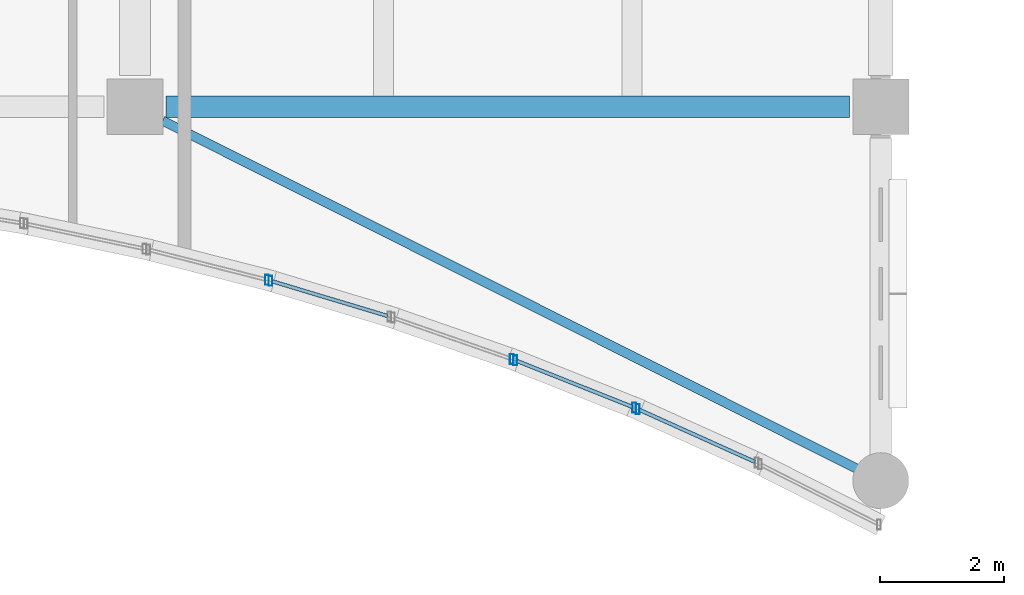
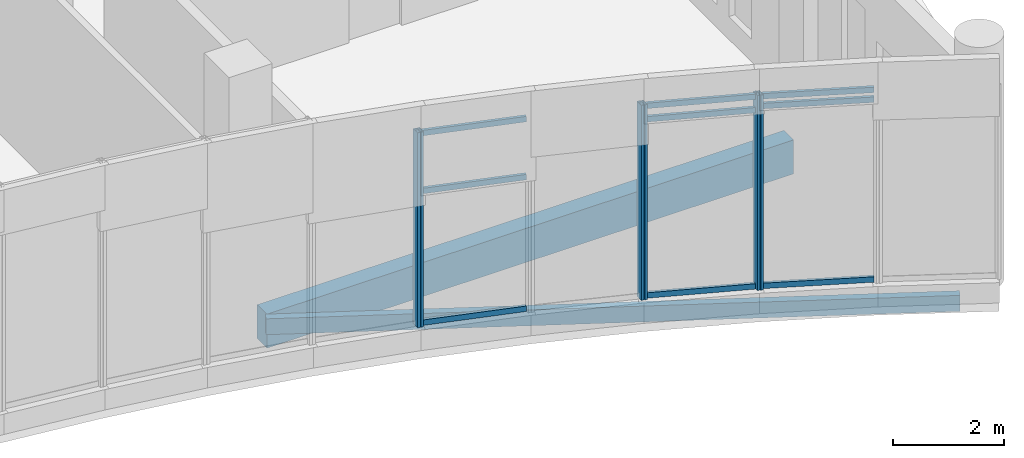
# One storey, part 99 of 192: 15 members, 2 beams, 5 elements without a shape of their own.
"""IFC4 building model written with IfcOpenShell, lengths in metres."""

import ifcopenshell
import ifcopenshell.guid

model = None  # the IFC model being written
_history = None  # IfcOwnerHistory: only IFC2X3 demands one
_inside = {}  # id of a spatial element -> (the spatial element, [elements in it])
_under = {}  # id of a project, library or spatial element -> (it, [spatial elements below it])
_declared = {}  # id of a project -> (the project, [libraries it declares])
_typed = {}  # id of a type object -> (the type object, [elements of that type])
_made_of = {}  # id of a material, layer set ... -> (it, [elements and type objects made of it])


def new_model(schema):
    """Start an empty IFC model of exactly this schema.

    Asked for "IFC4X3", IfcOpenShell would pick the latest addendum, in which some entities
    have other attributes; the version numbers below select the first issue.
    IFC2X3 requires an IfcOwnerHistory on every rooted entity: one is made here for all.
    """
    global model, _history
    if schema == "IFC4X3":
        model = ifcopenshell.file(schema_version=(4, 3, 0, 0))
    else:
        model = ifcopenshell.file(schema=schema)
    _inside.clear()
    _under.clear()
    _declared.clear()
    _typed.clear()
    _made_of.clear()
    _history = None
    if model.schema == "IFC2X3":
        org = make("IfcOrganization", Name="unknown")
        user = make(
            "IfcPersonAndOrganization",
            ThePerson=make("IfcPerson", FamilyName="unknown"),
            TheOrganization=org,
        )
        app = make(
            "IfcApplication",
            ApplicationDeveloper=org,
            Version="unknown",
            ApplicationFullName="unknown",
            ApplicationIdentifier="unknown",
        )
        _history = make(
            "IfcOwnerHistory",
            OwningUser=user,
            OwningApplication=app,
            ChangeAction="ADDED",
            CreationDate=0,
        )
    return model


def make(cls, **values):
    """One entity of the class cls with the attributes given. An attribute that is None is left unset."""
    return model.create_entity(
        cls, **{name: value for name, value in values.items() if value is not None}
    )


def rooted(cls, **values):
    """An entity with a GlobalId (a new one), such as an element, a storey or a relation."""
    return make(cls, GlobalId=ifcopenshell.guid.new(), OwnerHistory=_history, **values)


def si_unit(unit_type, name, prefix=None):
    """IfcSIUnit, for example si_unit("LENGTHUNIT", "METRE", prefix="MILLI")."""
    return make("IfcSIUnit", UnitType=unit_type, Prefix=prefix, Name=name)


def assignment(units):
    """IfcUnitAssignment: the units of a project."""
    return None if units is None else make("IfcUnitAssignment", Units=units)


def point(xyz):
    """IfcCartesianPoint."""
    return None if xyz is None else make("IfcCartesianPoint", Coordinates=xyz)


def direction(xyz):
    """IfcDirection."""
    return None if xyz is None else make("IfcDirection", DirectionRatios=xyz)


def frame(location, z_axis=None, x_axis=None):
    """IfcAxis2Placement3D, a coordinate frame: its origin and axes. An axis left out is left unset."""
    return make(
        "IfcAxis2Placement3D",
        Location=point(location),
        Axis=direction(z_axis),
        RefDirection=direction(x_axis),
    )


def frame_2d(location, x_axis=None):
    """IfcAxis2Placement2D, a coordinate frame in the plane: its origin and x axis."""
    return make(
        "IfcAxis2Placement2D", Location=point(location), RefDirection=direction(x_axis)
    )


def origin():
    """The frame at (0, 0, 0) with its axes left unset."""
    return frame((0.0, 0.0, 0.0))


def origin_2d():
    """The frame at (0, 0) in the plane with its x axis left unset."""
    return frame_2d((0.0, 0.0))


def place(relative_to, where):
    """IfcLocalPlacement: puts the frame where relative to a parent placement (None: the world)."""
    return make(
        "IfcLocalPlacement", PlacementRelTo=relative_to, RelativePlacement=where
    )


def context(
    kind, dimensions, precision=None, world=None, true_north=None, identifier=None
):
    """IfcGeometricRepresentationContext, for example the 3D "Model" context."""
    return make(
        "IfcGeometricRepresentationContext",
        ContextIdentifier=identifier,
        ContextType=kind,
        CoordinateSpaceDimension=dimensions,
        Precision=precision,
        WorldCoordinateSystem=world,
        TrueNorth=true_north,
    )


def subcontext(parent, identifier, kind, view, scale=None):
    """IfcGeometricRepresentationSubContext, for example "Body" below "Model"."""
    return make(
        "IfcGeometricRepresentationSubContext",
        ContextIdentifier=identifier,
        ContextType=kind,
        ParentContext=parent,
        TargetScale=scale,
        TargetView=view,
    )


def project(units=None, contexts=None):
    """IfcProject with its units and contexts."""
    return rooted(
        "IfcProject",
        Name="project",
        RepresentationContexts=contexts,
        UnitsInContext=assignment(units),
    )


def spatial(cls, under=None, at=None, **own):
    """A site, building, storey or space (cls), placed at a placement, below another one or the project."""
    s = rooted(cls, ObjectPlacement=at, **own)
    if under is not None:
        _under.setdefault(under.id(), (under, []))[1].append(s)
    return s


def profile(cls, at=None, kind="AREA", **sizes):
    """A parametric profile (cls). Its sizes go by their IFC names, for example OverallWidth=200.0."""
    return make(cls, ProfileType=kind, Position=at, **sizes)


def rectangle(**sizes):
    """IfcRectangleProfileDef."""
    return profile("IfcRectangleProfileDef", **sizes)


def hollow_rectangle(**sizes):
    """IfcRectangleHollowProfileDef."""
    return profile("IfcRectangleHollowProfileDef", **sizes)


def extrude(swept, where, along, depth):
    """IfcExtrudedAreaSolid: the profile swept, set in the frame where, extruded along a direction by depth."""
    return make(
        "IfcExtrudedAreaSolid",
        SweptArea=swept,
        Position=where,
        ExtrudedDirection=direction(along),
        Depth=depth,
    )


def shape(context_of_items, identifier, shape_type, items):
    """IfcShapeRepresentation: the items that make up one representation, for example the "Body"."""
    return make(
        "IfcShapeRepresentation",
        ContextOfItems=context_of_items,
        RepresentationIdentifier=identifier,
        RepresentationType=shape_type,
        Items=items,
    )


def material(Name=None, Category=None):
    """IfcMaterial."""
    return make("IfcMaterial", Name=Name, Category=Category)


def material_profile(
    of_material, cross_section, Name=None, Category=None, Priority=None
):
    """IfcMaterialProfile: a cross section and its material."""
    return make(
        "IfcMaterialProfile",
        Name=Name,
        Material=of_material,
        Profile=cross_section,
        Priority=Priority,
        Category=Category,
    )


def profile_set(profiles, Name=None, composite=None):
    """IfcMaterialProfileSet."""
    return make(
        "IfcMaterialProfileSet",
        Name=Name,
        MaterialProfiles=profiles,
        CompositeProfile=composite,
    )


def made_of(thing, what):
    """Note that an element or type object is made of a material, layer set ...; save() writes the relation."""
    if what is not None:
        _made_of.setdefault(what.id(), (what, []))[1].append(thing)
    return thing


def type_object(cls, material=None, **own):
    """A type object (cls), such as IfcWallType, which elements share."""
    return made_of(rooted(cls, **own), material)


def element(
    cls,
    number,
    at=None,
    inside=None,
    cuts=None,
    type_object=None,
    material=None,
    context=None,
    identifier="Body",
    shape_type=None,
    held_by="IfcProductDefinitionShape",
    body=None,
    shapes=None,
    **own,
):
    """One element of the class cls, such as IfcWall. Its Tag is "e" and its number.

    at: its placement. inside: the storey or other place that contains it. cuts: it is an
    opening in that element (IfcRelVoidsElement). A single representation is given by context,
    identifier, shape_type and body (its items); several are given by shapes. held_by: the class
    of the entity that holds the representations. save() writes the other relations.
    """
    e = rooted(cls, Tag="e%d" % number, ObjectPlacement=at, **own)
    if body is not None:
        shapes = [shape(context, identifier, shape_type, body)]
    if shapes is not None:
        e.Representation = make(held_by, Representations=shapes)
    if inside is not None:
        _inside.setdefault(inside.id(), (inside, []))[1].append(e)
    if cuts is not None:
        rooted(
            "IfcRelVoidsElement", RelatingBuildingElement=cuts, RelatedOpeningElement=e
        )
    if type_object is not None:
        _typed.setdefault(type_object.id(), (type_object, []))[1].append(e)
    return made_of(e, material)


def aggregate(whole, parts):
    """IfcRelAggregates: a whole, such as a stair, and the parts it consists of."""
    return rooted("IfcRelAggregates", RelatingObject=whole, RelatedObjects=parts)


def save(model, path):
    """Write the relations noted so far, then the file.

    IfcRelAggregates (storeys below a building ...), IfcRelContainedInSpatialStructure (elements
    in a storey), IfcRelDefinesByType, IfcRelAssociatesMaterial and IfcRelDeclares: one each for
    every whole, place, type object, material and project.
    """
    for whole, parts in _under.values():
        aggregate(whole, parts)
    for where, things in _inside.values():
        rooted(
            "IfcRelContainedInSpatialStructure",
            RelatedElements=things,
            RelatingStructure=where,
        )
    for kind, things in _typed.values():
        rooted("IfcRelDefinesByType", RelatedObjects=things, RelatingType=kind)
    for what, things in _made_of.values():
        rooted("IfcRelAssociatesMaterial", RelatedObjects=things, RelatingMaterial=what)
    for by, libraries in _declared.values():
        rooted("IfcRelDeclares", RelatingContext=by, RelatedDefinitions=libraries)
    model.write(path)


model = new_model("IFC4")

# Units and contexts
model_context = context("Model", 3, precision=1e-05, world=origin(), true_north=direction((0.0, 1.0)))
body_context = subcontext(model_context, "Body", "Model", "MODEL_VIEW")
ifc_project = project(units=[si_unit("LENGTHUNIT", "METRE"), si_unit("AREAUNIT", "SQUARE_METRE"), si_unit("VOLUMEUNIT", "CUBIC_METRE"), si_unit("PLANEANGLEUNIT", "RADIAN"), si_unit("MASSUNIT", "GRAM", prefix="KILO")], contexts=[model_context])

# Site, building, storey
site_placement = place(None, origin())
site = spatial("IfcSite", under=ifc_project, at=site_placement, CompositionType="ELEMENT")
building_placement = place(site_placement, origin())
building = spatial("IfcBuilding", under=site, at=building_placement, Name="Cendralis Lancet Convention Centre", CompositionType="ELEMENT")
storey_placement = place(building_placement, origin())
storey = spatial("IfcBuildingStorey", under=building, at=storey_placement, Name="L00", CompositionType="ELEMENT", Elevation=0.0)

# Curtain wall, member
ifc_material_1 = material(Name="Anodised bronze architectural aluminium", Category="aluminium")
curtain_wall_type = type_object("IfcCurtainWallType", Name="ARC-CW-WF02", PredefinedType="USERDEFINED", material=ifc_material_1)
curtain_wall_1_placement = place(storey_placement, origin())
curtain_wall_1 = element("IfcCurtainWall", 1, at=curtain_wall_1_placement, inside=storey, type_object=curtain_wall_type, Name="L00 Curtain Wall CW-WF2 #085", ObjectType="CURTAIN WALL", PredefinedType="USERDEFINED")
ifc_material_profile_1 = material_profile(ifc_material_1, hollow_rectangle(XDim=0.06005859375, YDim=0.159912109375, WallThickness=0.00390625, at=origin_2d()), Name="AL-MULL 60x160x4.0")
ifc_profile_set_1 = profile_set([ifc_material_profile_1], Name="Anodised bronze architectural aluminium")
member_type_1 = type_object("IfcMemberType", Name="ARC-CW-ML01", PredefinedType="MULLION", material=ifc_profile_set_1)
member_1_placement = place(storey_placement, frame((198.9248046875, 4.415283203125, 0.449951171875), z_axis=(0.0, 0.0, 1.0), x_axis=(1.0, 0.0, 0.0)))
member_1 = element("IfcMember", 2, at=member_1_placement, type_object=member_type_1, Name="Mullion CW2-CW-WF2-L00-085-M1", PredefinedType="MULLION", context=body_context, shape_type="SweptSolid", body=[
    extrude(hollow_rectangle(XDim=0.06005859375, YDim=0.159912109375, WallThickness=0.00390625, at=origin_2d()), origin(), (0.0, 0.0, 1.0), 4.304931640625),
])
aggregate(curtain_wall_1, [member_1])

curtain_wall_2_placement = place(storey_placement, origin())
curtain_wall_2 = element("IfcCurtainWall", 3, at=curtain_wall_2_placement, inside=storey, type_object=curtain_wall_type, Name="L00 Curtain Wall CW-WF2 #086", ObjectType="CURTAIN WALL", PredefinedType="USERDEFINED")
member_2_placement = place(storey_placement, frame((198.982666015625, 4.3994140625, 0.449951171875), z_axis=(0.0, 0.0, 1.0), x_axis=(1.0, 0.0, 0.0)))
member_2 = element("IfcMember", 4, at=member_2_placement, type_object=member_type_1, Name="Mullion CW2-CW-WF2-L00-086-M0", PredefinedType="MULLION", context=body_context, shape_type="SweptSolid", body=[
    extrude(hollow_rectangle(XDim=0.06005859375, YDim=0.159912109375, WallThickness=0.00390625, at=origin_2d()), origin(), (0.0, 0.0, 1.0), 4.304931640625),
])

curtain_wall_3_placement = place(storey_placement, origin())
curtain_wall_3 = element("IfcCurtainWall", 5, at=curtain_wall_3_placement, inside=storey, type_object=curtain_wall_type, Name="L00 Curtain Wall CW-WF2 #087", ObjectType="CURTAIN WALL", PredefinedType="USERDEFINED")
member_3_placement = place(storey_placement, frame((202.86376953125, 3.140869140625, 0.449951171875), z_axis=(0.0, 0.0, 1.0), x_axis=(1.0, 0.0, 0.0)))
member_3 = element("IfcMember", 6, at=member_3_placement, type_object=member_type_1, Name="Mullion CW2-CW-WF2-L00-087-M1", PredefinedType="MULLION", context=body_context, shape_type="SweptSolid", body=[
    extrude(hollow_rectangle(XDim=0.06005859375, YDim=0.159912109375, WallThickness=0.00390625, at=origin_2d()), origin(), (0.0, 0.0, 1.0), 4.304931640625),
])
aggregate(curtain_wall_3, [member_3])

# Curtain wall, members
curtain_wall_4_placement = place(storey_placement, origin())
curtain_wall_4 = element("IfcCurtainWall", 7, at=curtain_wall_4_placement, inside=storey, type_object=curtain_wall_type, Name="L00 Curtain Wall CW-WF2 #088", ObjectType="CURTAIN WALL", PredefinedType="USERDEFINED")
member_4_placement = place(storey_placement, frame((202.919921875, 3.119873046875, 0.449951171875), z_axis=(0.0, 0.0, 1.0), x_axis=(1.0, 0.0, 0.0)))
member_4 = element("IfcMember", 8, at=member_4_placement, type_object=member_type_1, Name="Mullion CW2-CW-WF2-L00-088-M0", PredefinedType="MULLION", context=body_context, shape_type="SweptSolid", body=[
    extrude(hollow_rectangle(XDim=0.06005859375, YDim=0.159912109375, WallThickness=0.00390625, at=origin_2d()), origin(), (0.0, 0.0, 1.0), 4.304931640625),
])
member_5_placement = place(storey_placement, frame((204.833984375, 2.359130859375, 0.449951171875), z_axis=(0.0, 0.0, 1.0), x_axis=(1.0, 0.0, 0.0)))
member_5 = element("IfcMember", 9, at=member_5_placement, type_object=member_type_1, Name="Mullion CW2-CW-WF2-L00-088-M1", PredefinedType="MULLION", context=body_context, shape_type="SweptSolid", body=[
    extrude(hollow_rectangle(XDim=0.06005859375, YDim=0.159912109375, WallThickness=0.00390625, at=origin_2d()), origin(), (0.0, 0.0, 1.0), 4.304931640625),
])

# Curtain wall, member
curtain_wall_5_placement = place(storey_placement, origin())
curtain_wall_5 = element("IfcCurtainWall", 10, at=curtain_wall_5_placement, inside=storey, type_object=curtain_wall_type, Name="L00 Curtain Wall CW-WF2 #089", ObjectType="CURTAIN WALL", PredefinedType="USERDEFINED")
member_6_placement = place(storey_placement, frame((204.889404296875, 2.335693359375, 0.449951171875), z_axis=(0.0, 0.0, 1.0), x_axis=(1.0, 0.0, 0.0)))
member_6 = element("IfcMember", 11, at=member_6_placement, type_object=member_type_1, Name="Mullion CW2-CW-WF2-L00-089-M0", PredefinedType="MULLION", context=body_context, shape_type="SweptSolid", body=[
    extrude(hollow_rectangle(XDim=0.06005859375, YDim=0.159912109375, WallThickness=0.00390625, at=origin_2d()), origin(), (0.0, 0.0, 1.0), 4.304931640625),
])

# Member
ifc_material_profile_2 = material_profile(ifc_material_1, hollow_rectangle(XDim=0.06005859375, YDim=0.1201171875, WallThickness=0.00390625, at=origin_2d()), Name="AL-TRAN 60x120x4.0")
ifc_profile_set_2 = profile_set([ifc_material_profile_2], Name="Anodised bronze architectural aluminium")
member_type_2 = type_object("IfcMemberType", Name="ARC-CW-TR01", PredefinedType="USERDEFINED", material=ifc_profile_set_2)
member_7_placement = place(storey_placement, frame((199.011474609375, 4.390625, 0.510009765625), z_axis=(0.957659523644, -0.287903172568, 0.0), x_axis=(0.287903172568, 0.957659523644, 0.0)))
member_7 = element("IfcMember", 12, at=member_7_placement, type_object=member_type_2, Name="Transom CW2-CW-WF2-L00-086-T0BOT", ObjectType="TRANSOM", PredefinedType="USERDEFINED", context=body_context, shape_type="SweptSolid", body=[
    extrude(hollow_rectangle(XDim=0.06005859375, YDim=0.1201171875, WallThickness=0.00390625, at=origin_2d()), origin(), (0.0, 0.0, 1.0), 1.93603515625),
])

member_8_placement = place(storey_placement, frame((199.011474609375, 4.390625, 3.4150390625), z_axis=(0.957659523644, -0.287903172568, 0.0), x_axis=(0.287903172568, 0.957659523644, 0.0)))
member_8 = element("IfcMember", 13, at=member_8_placement, type_object=member_type_2, Name="Transom CW2-CW-WF2-L00-086-T0MID", ObjectType="TRANSOM", PredefinedType="USERDEFINED", context=body_context, shape_type="SweptSolid", body=[
    extrude(hollow_rectangle(XDim=0.06005859375, YDim=0.1201171875, WallThickness=0.00390625, at=origin_2d()), origin(), (0.0, 0.0, 1.0), 1.93603515625),
])

member_9_placement = place(storey_placement, frame((199.011474609375, 4.390625, 4.695068359375), z_axis=(0.957659523644, -0.287903172568, 0.0), x_axis=(0.287903172568, 0.957659523644, 0.0)))
member_9 = element("IfcMember", 14, at=member_9_placement, type_object=member_type_2, Name="Transom CW2-CW-WF2-L00-086-T0TOP", ObjectType="TRANSOM", PredefinedType="USERDEFINED", context=body_context, shape_type="SweptSolid", body=[
    extrude(hollow_rectangle(XDim=0.06005859375, YDim=0.1201171875, WallThickness=0.00390625, at=origin_2d()), origin(), (0.0, 0.0, 1.0), 1.93603515625),
])

aggregate(curtain_wall_2, [member_2, member_7, member_8, member_9])

member_10_placement = place(storey_placement, frame((202.94775390625, 3.10888671875, 0.510009765625), z_axis=(0.929265992069, -0.369411310037, 0.0), x_axis=(0.369411310037, 0.929265992069, 0.0)))
member_10 = element("IfcMember", 15, at=member_10_placement, type_object=member_type_2, Name="Transom CW2-CW-WF2-L00-088-T0BOT", ObjectType="TRANSOM", PredefinedType="USERDEFINED", context=body_context, shape_type="SweptSolid", body=[
    extrude(hollow_rectangle(XDim=0.06005859375, YDim=0.1201171875, WallThickness=0.00390625, at=origin_2d()), origin(), (0.0, 0.0, 1.0), 1.999755859375),
])

member_11_placement = place(storey_placement, frame((202.94775390625, 3.10888671875, 4.39892578125), z_axis=(0.929265992069, -0.369411310037, 0.0), x_axis=(0.369411310037, 0.929265992069, 0.0)))
member_11 = element("IfcMember", 16, at=member_11_placement, type_object=member_type_2, Name="Transom CW2-CW-WF2-L00-088-T0MID", ObjectType="TRANSOM", PredefinedType="USERDEFINED", context=body_context, shape_type="SweptSolid", body=[
    extrude(hollow_rectangle(XDim=0.06005859375, YDim=0.1201171875, WallThickness=0.00390625, at=origin_2d()), origin(), (0.0, 0.0, 1.0), 1.999755859375),
])

member_12_placement = place(storey_placement, frame((202.94775390625, 3.10888671875, 4.695068359375), z_axis=(0.929265992069, -0.369411310037, 0.0), x_axis=(0.369411310037, 0.929265992069, 0.0)))
member_12 = element("IfcMember", 17, at=member_12_placement, type_object=member_type_2, Name="Transom CW2-CW-WF2-L00-088-T0TOP", ObjectType="TRANSOM", PredefinedType="USERDEFINED", context=body_context, shape_type="SweptSolid", body=[
    extrude(hollow_rectangle(XDim=0.06005859375, YDim=0.1201171875, WallThickness=0.00390625, at=origin_2d()), origin(), (0.0, 0.0, 1.0), 1.999755859375),
])

aggregate(curtain_wall_4, [member_4, member_5, member_10, member_11, member_12])

member_13_placement = place(storey_placement, frame((204.916748046875, 2.323486328125, 0.510009765625), z_axis=(0.911726553758, -0.410797628003, 0.0), x_axis=(0.410797628003, 0.911726553758, 0.0)))
member_13 = element("IfcMember", 18, at=member_13_placement, type_object=member_type_2, Name="Transom CW2-CW-WF2-L00-089-T0BOT", ObjectType="TRANSOM", PredefinedType="USERDEFINED", context=body_context, shape_type="SweptSolid", body=[
    extrude(hollow_rectangle(XDim=0.06005859375, YDim=0.1201171875, WallThickness=0.00390625, at=origin_2d()), origin(), (0.0, 0.0, 1.0), 2.03955078125),
])

member_14_placement = place(storey_placement, frame((204.916748046875, 2.323486328125, 4.47900390625), z_axis=(0.911726553758, -0.410797628003, 0.0), x_axis=(0.410797628003, 0.911726553758, 0.0)))
member_14 = element("IfcMember", 19, at=member_14_placement, type_object=member_type_2, Name="Transom CW2-CW-WF2-L00-089-T0MID", ObjectType="TRANSOM", PredefinedType="USERDEFINED", context=body_context, shape_type="SweptSolid", body=[
    extrude(hollow_rectangle(XDim=0.06005859375, YDim=0.1201171875, WallThickness=0.00390625, at=origin_2d()), origin(), (0.0, 0.0, 1.0), 2.03955078125),
])

member_15_placement = place(storey_placement, frame((204.916748046875, 2.323486328125, 4.695068359375), z_axis=(0.911726553758, -0.410797628003, 0.0), x_axis=(0.410797628003, 0.911726553758, 0.0)))
member_15 = element("IfcMember", 20, at=member_15_placement, type_object=member_type_2, Name="Transom CW2-CW-WF2-L00-089-T0TOP", ObjectType="TRANSOM", PredefinedType="USERDEFINED", context=body_context, shape_type="SweptSolid", body=[
    extrude(hollow_rectangle(XDim=0.06005859375, YDim=0.1201171875, WallThickness=0.00390625, at=origin_2d()), origin(), (0.0, 0.0, 1.0), 2.03955078125),
])

aggregate(curtain_wall_5, [member_6, member_13, member_14, member_15])

# Beams
ifc_material_2 = material(Name="Concrete G40 (C40/50)", Category="concrete")
ifc_material_profile_3 = material_profile(ifc_material_2, rectangle(XDim=0.35009765625, YDim=0.75, at=origin_2d()), Name="RCB 350x750")
ifc_profile_set_3 = profile_set([ifc_material_profile_3], Name="Concrete G40 (C40/50)")
beam_type_1 = type_object("IfcBeamType", Name="STR-SP-SP01", PredefinedType="SPANDREL", material=ifc_profile_set_3)
beam_1_placement = place(storey_placement, frame((197.300048828125, 7.199951171875, -0.695068359375), z_axis=(1.0, 0.0, 0.0), x_axis=(0.0, 1.0, 0.0)))
element("IfcBeam", 21, at=beam_1_placement, inside=storey, type_object=beam_type_1, Name="L00 Beam SP01 #0010", PredefinedType="SPANDREL", context=body_context, shape_type="SweptSolid", body=[
    extrude(rectangle(XDim=0.35009765625, YDim=0.75, at=origin_2d()), origin(), (0.0, 0.0, 1.0), 11.0),
])
ifc_material_3 = material(Name="Steel S355", Category="steel")
ifc_material_profile_4 = material_profile(ifc_material_3, hollow_rectangle(XDim=0.14990234375, YDim=0.35009765625, WallThickness=0.012451171875, at=origin_2d()), Name="RHS 350x150x12.5")
ifc_profile_set_4 = profile_set([ifc_material_profile_4], Name="Steel S355")
beam_type_2 = type_object("IfcBeamType", Name="STR-SP-SP04", PredefinedType="SPANDREL", material=ifc_profile_set_4)
beam_2_placement = place(storey_placement, frame((197.2470703125, 6.975830078125, -0.4951171875), z_axis=(0.893949017401, -0.448168667231, 0.0), x_axis=(0.448168667231, 0.893949017401, 0.0)))
element("IfcBeam", 22, at=beam_2_placement, inside=storey, type_object=beam_type_2, Name="L00 Beam SP04 #1046", PredefinedType="SPANDREL", context=body_context, shape_type="SweptSolid", body=[
    extrude(hollow_rectangle(XDim=0.14990234375, YDim=0.35009765625, WallThickness=0.012451171875, at=origin_2d()), origin(), (0.0, 0.0, 1.0), 12.573486328125),
])

save(model, "model.ifc")
